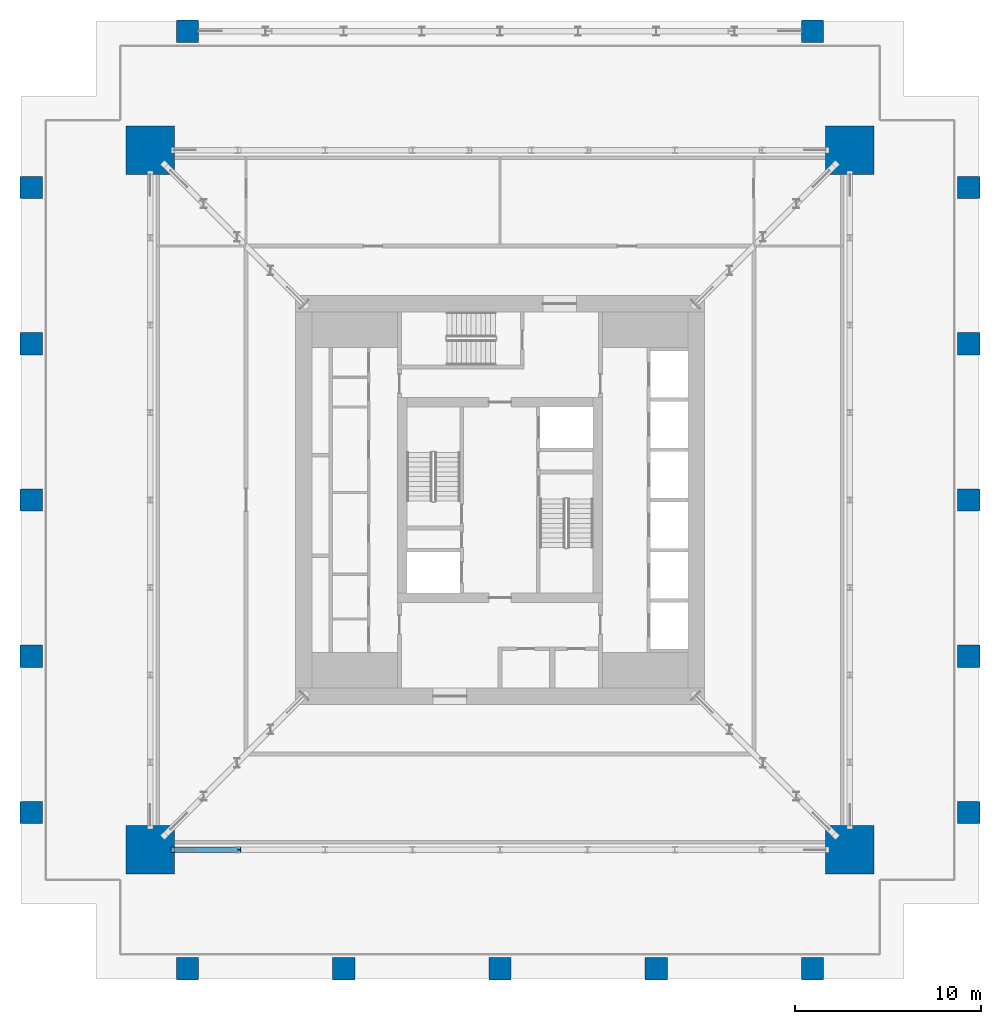
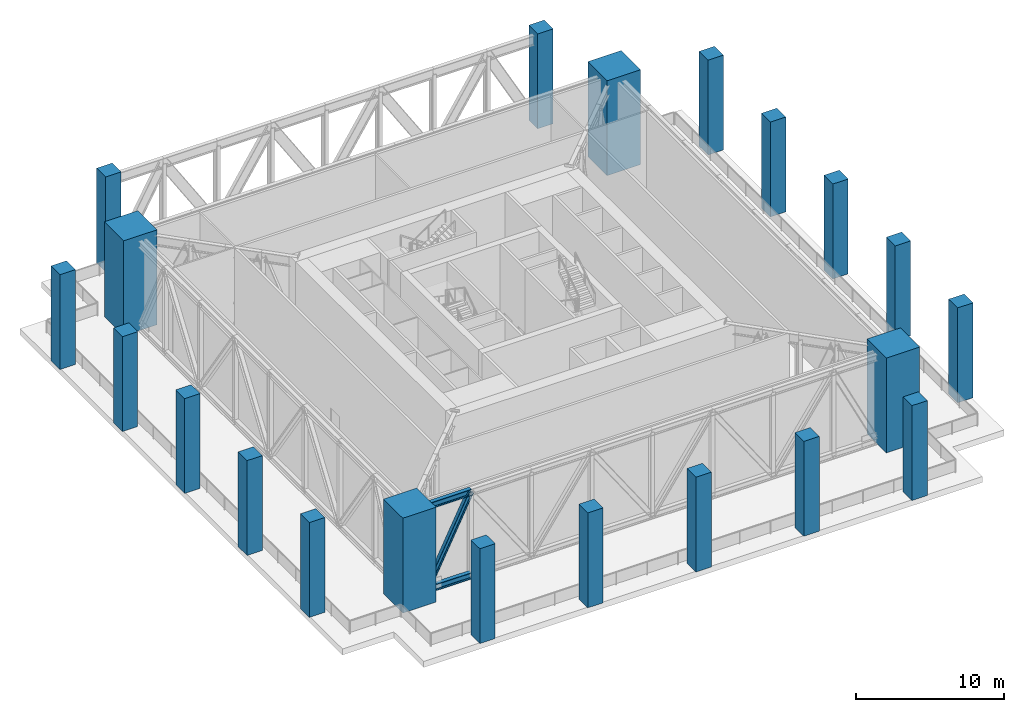
# One storey, part 1 of 17: 21 columns, 3 members.
"""IFC4 building model written with IfcOpenShell, lengths in metres."""

from ifc_helpers import new_model, si_unit, direction, frame, origin, origin_2d, place, context, subcontext, project, spatial, rectangle, i_section, extrude, material, material_profile, profile_set, type_object, element, save


model = new_model("IFC4")

# Units and contexts
model_context = context("Model", 3, precision=1e-05, world=origin(), true_north=direction((0.0, 1.0)))
body_context = subcontext(model_context, "Body", "Model", "MODEL_VIEW")
ifc_project = project(units=[si_unit("LENGTHUNIT", "METRE"), si_unit("AREAUNIT", "SQUARE_METRE"), si_unit("VOLUMEUNIT", "CUBIC_METRE"), si_unit("PLANEANGLEUNIT", "RADIAN"), si_unit("MASSUNIT", "GRAM", prefix="KILO")], contexts=[model_context])

# Site, building, storey
site_placement = place(None, origin())
site = spatial("IfcSite", under=ifc_project, at=site_placement, CompositionType="ELEMENT")
building_placement = place(site_placement, origin())
building = spatial("IfcBuilding", under=site, at=building_placement, Name="Khepri Terraces", CompositionType="ELEMENT")
storey_placement = place(building_placement, frame((0.0, 0.0, 180.60009765625)))
storey = spatial("IfcBuildingStorey", under=building, at=storey_placement, Name="L43", CompositionType="ELEMENT", Elevation=180.60009765625)

# Columns
ifc_material_1 = material(Name="Concrete C60/75", Category="concrete")
ifc_material_profile_1 = material_profile(ifc_material_1, rectangle(XDim=2.60009765625, YDim=2.60009765625, at=origin_2d()), Name="Concrete C60/75", Category="concrete")
ifc_profile_set_1 = profile_set([ifc_material_profile_1], Name="Concrete C60/75")
column_type_1 = type_object("IfcColumnType", Name="Mega column RC 2600x2600 C60/75", PredefinedType="COLUMN", material=ifc_profile_set_1)
for number, where, z_axis, x_axis, name in (
    (1, (18.800048828125, 18.800048828125, 0.0), (0.0, 0.0, 1.0), (1.0, 0.0, 0.0), "Mega column MEN L43"),
    (2, (18.800048828125, -18.800048828125, 0.0), (0.0, 0.0, 1.0), (1.0, 0.0, 0.0), "Mega column MES L43"),
    (3, (-18.800048828125, 18.800048828125, 0.0), (0.0, 0.0, 1.0), (1.0, 0.0, 0.0), "Mega column MWN L43"),
    (4, (-18.800048828125, -18.800048828125, 0.0), (0.0, 0.0, 1.0), (1.0, 0.0, 0.0), "Mega column MWS L43"),
):
    element("IfcColumn", number, at=place(storey_placement, frame(where, z_axis=z_axis, x_axis=x_axis)), inside=storey, type_object=column_type_1, Name=name, PredefinedType="COLUMN", context=body_context, shape_type="SweptSolid", body=[
        extrude(rectangle(XDim=2.60009765625, YDim=2.60009765625, at=origin_2d()), origin(), (0.0, 0.0, 1.0), 7.7998046875),
    ])
ifc_material_profile_2 = material_profile(ifc_material_1, rectangle(XDim=1.199951171875, YDim=1.199951171875, at=origin_2d()), Name="Concrete C60/75", Category="concrete")
ifc_profile_set_2 = profile_set([ifc_material_profile_2], Name="Concrete C60/75")
column_type_2 = type_object("IfcColumnType", Name="Tower column RC 1200x1200 C60/75", PredefinedType="COLUMN", material=ifc_profile_set_2)
for number, where, z_axis, x_axis, name in (
    (5, (25.199951171875, 0.0, 0.0), (0.0, 0.0, 1.0), (1.0, 0.0, 0.0), "Perimeter column PE+000a L43"),
    (6, (25.199951171875, 8.39990234375, 0.0), (0.0, 0.0, 1.0), (1.0, 0.0, 0.0), "Perimeter column PE+084a L43"),
    (7, (25.199951171875, 16.800048828125, 0.0), (0.0, 0.0, 1.0), (1.0, 0.0, 0.0), "Perimeter column PE+168a L43"),
    (8, (25.199951171875, -8.39990234375, 0.0), (0.0, 0.0, 1.0), (1.0, 0.0, 0.0), "Perimeter column PE-084a L43"),
    (9, (25.199951171875, -16.800048828125, 0.0), (0.0, 0.0, 1.0), (1.0, 0.0, 0.0), "Perimeter column PE-168a L43"),
    (10, (-16.800048828125, 25.199951171875, 0.0), (0.0, 0.0, 1.0), (1.0, 0.0, 0.0), "Perimeter column PN+168a L43"),
    (11, (16.800048828125, 25.199951171875, 0.0), (0.0, 0.0, 1.0), (1.0, 0.0, 0.0), "Perimeter column PN-168a L43"),
    (12, (0.0, -25.199951171875, 0.0), (0.0, 0.0, 1.0), (1.0, 0.0, 0.0), "Perimeter column PS+000b L43"),
    (13, (8.39990234375, -25.199951171875, 0.0), (0.0, 0.0, 1.0), (1.0, 0.0, 0.0), "Perimeter column PS+084b L43"),
    (14, (16.800048828125, -25.199951171875, 0.0), (0.0, 0.0, 1.0), (1.0, 0.0, 0.0), "Perimeter column PS+168a L43"),
    (15, (-8.39990234375, -25.199951171875, 0.0), (0.0, 0.0, 1.0), (1.0, 0.0, 0.0), "Perimeter column PS-084b L43"),
    (16, (-16.800048828125, -25.199951171875, 0.0), (0.0, 0.0, 1.0), (1.0, 0.0, 0.0), "Perimeter column PS-168a L43"),
    (17, (-25.199951171875, 0.0, 0.0), (0.0, 0.0, 1.0), (1.0, 0.0, 0.0), "Perimeter column PW+000b L43"),
    (18, (-25.199951171875, -8.39990234375, 0.0), (0.0, 0.0, 1.0), (1.0, 0.0, 0.0), "Perimeter column PW+084b L43"),
    (19, (-25.199951171875, -16.800048828125, 0.0), (0.0, 0.0, 1.0), (1.0, 0.0, 0.0), "Perimeter column PW+168a L43"),
    (20, (-25.199951171875, 8.39990234375, 0.0), (0.0, 0.0, 1.0), (1.0, 0.0, 0.0), "Perimeter column PW-084b L43"),
    (21, (-25.199951171875, 16.800048828125, 0.0), (0.0, 0.0, 1.0), (1.0, 0.0, 0.0), "Perimeter column PW-168a L43"),
):
    element("IfcColumn", number, at=place(storey_placement, frame(where, z_axis=z_axis, x_axis=x_axis)), inside=storey, type_object=column_type_2, Name=name, PredefinedType="COLUMN", context=body_context, shape_type="SweptSolid", body=[
        extrude(rectangle(XDim=1.199951171875, YDim=1.199951171875, at=origin_2d()), origin(), (0.0, 0.0, 1.0), 7.7998046875),
    ])

# Members
ifc_material_2 = material(Name="Steel S355", Category="steel")
ifc_material_profile_3 = material_profile(ifc_material_2, i_section(OverallWidth=0.305908203125, OverallDepth=0.52392578125, WebThickness=0.02099609375, FlangeThickness=0.0400390625, FilletRadius=0.027099609375, at=origin_2d()), Name="Steel S355", Category="steel")
ifc_profile_set_3 = profile_set([ifc_material_profile_3], Name="Steel S355")
member_type_1 = type_object("IfcMemberType", Name="Belt truss chord HEM 500", PredefinedType="CHORD", material=ifc_profile_set_3)
for number, where, z_axis, x_axis, name in (
    (22, (-17.5, -18.800048828125, 0.261962890625), (1.0, 0.0, 0.0), (0.0, 1.0, 0.0), "Belt truss chord BT-43-S bottom 1"),
    (23, (-17.5, -18.800048828125, 7.117919921875), (1.0, 0.0, 0.0), (0.0, 1.0, 0.0), "Belt truss chord BT-43-S top 1"),
):
    element("IfcMember", number, at=place(storey_placement, frame(where, z_axis=z_axis, x_axis=x_axis)), inside=storey, type_object=member_type_1, Name=name, PredefinedType="CHORD", context=body_context, shape_type="SweptSolid", body=[
        extrude(i_section(OverallWidth=0.305908203125, OverallDepth=0.52392578125, WebThickness=0.02099609375, FlangeThickness=0.0400390625, FilletRadius=0.027099609375, at=origin_2d()), origin(), (0.0, 0.0, 1.0), 3.39990234375),
    ])
ifc_material_profile_4 = material_profile(ifc_material_2, i_section(OverallWidth=0.300048828125, OverallDepth=0.39990234375, WebThickness=0.013427734375, FlangeThickness=0.02392578125, FilletRadius=0.027099609375, at=origin_2d()), Name="Steel S355", Category="steel")
ifc_profile_set_4 = profile_set([ifc_material_profile_4], Name="Steel S355")
member_type_2 = type_object("IfcMemberType", Name="Belt truss diagonal HEB 400", PredefinedType="BRACE", material=ifc_profile_set_4)
member_placement = place(storey_placement, frame((-17.5, -18.800048828125, 0.261962890625), z_axis=(0.444276144924, 0.0, 0.895889896723), x_axis=(0.0, 1.0, 0.0)))
element("IfcMember", 24, at=member_placement, inside=storey, type_object=member_type_2, Name="Belt truss diagonal BT-43-S 1", PredefinedType="BRACE", context=body_context, shape_type="SweptSolid", body=[
    extrude(i_section(OverallWidth=0.300048828125, OverallDepth=0.39990234375, WebThickness=0.013427734375, FlangeThickness=0.02392578125, FilletRadius=0.027099609375, at=origin_2d()), origin(), (0.0, 0.0, 1.0), 7.652587890625),
])

save(model, "model.ifc")
